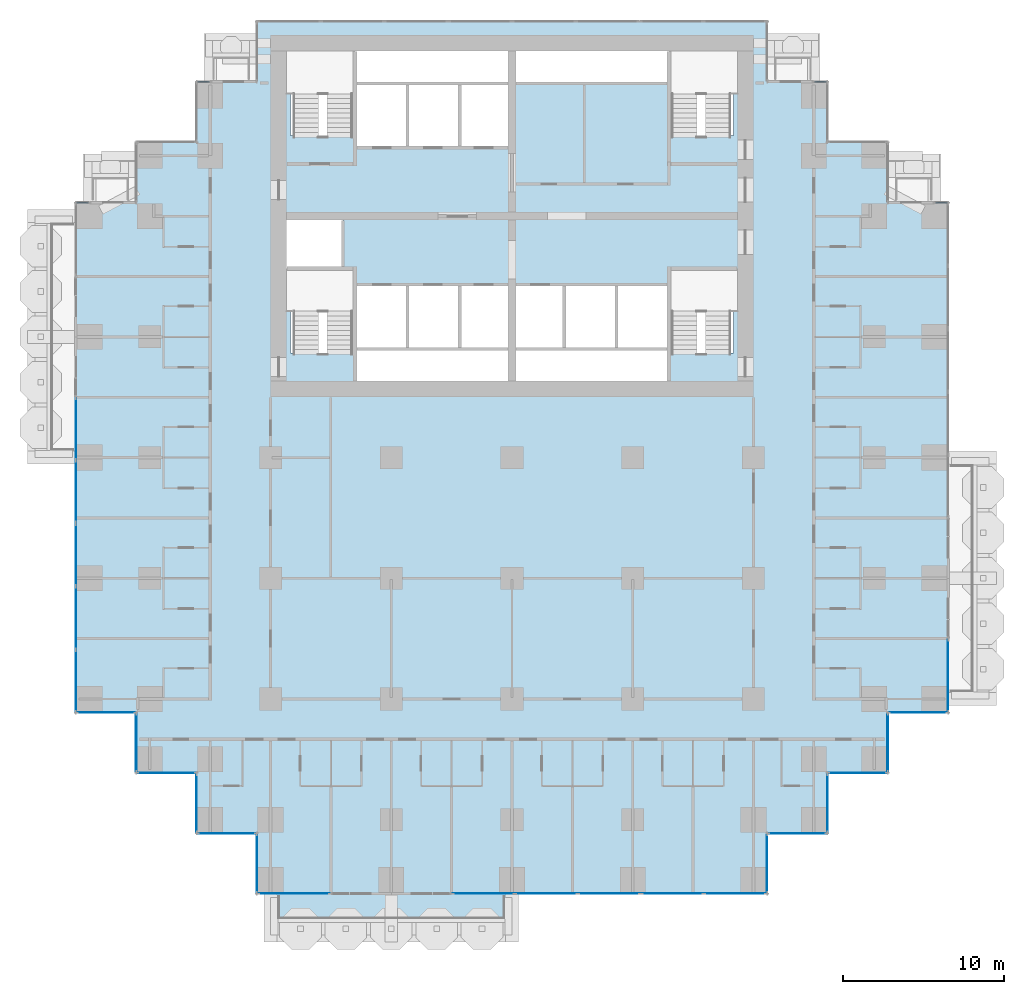
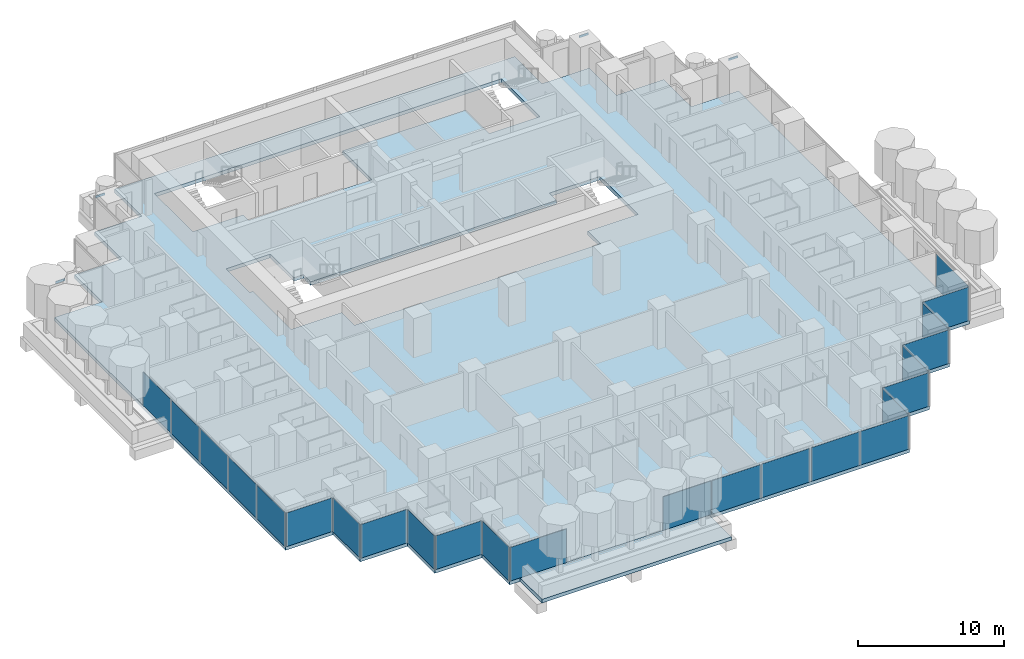
# One storey, part 6 of 18: 24 plates, 4 members, 2 slabs, 22 elements without a shape of their own.
"""IFC4 building model written with IfcOpenShell, lengths in metres."""

from ifc_helpers import new_model, si_unit, direction, frame, origin, origin_2d, place, context, subcontext, project, spatial, polyline, rectangle, outline, extrude, material, layer, layer_set, material_profile, profile_set, type_object, element, aggregate, save


model = new_model("IFC4")

# Units and contexts
model_context = context("Model", 3, precision=1e-05, world=origin(), true_north=direction((0.0, 1.0)))
body_context = subcontext(model_context, "Body", "Model", "MODEL_VIEW")
ifc_project = project(units=[si_unit("LENGTHUNIT", "METRE"), si_unit("AREAUNIT", "SQUARE_METRE"), si_unit("VOLUMEUNIT", "CUBIC_METRE"), si_unit("PLANEANGLEUNIT", "RADIAN"), si_unit("MASSUNIT", "GRAM", prefix="KILO")], contexts=[model_context])

# Site, building, storey
site_placement = place(None, origin())
site = spatial("IfcSite", under=ifc_project, at=site_placement, CompositionType="ELEMENT")
building_placement = place(site_placement, origin())
building = spatial("IfcBuilding", under=site, at=building_placement, Name="Pilkhan Gate Tower", CompositionType="ELEMENT")
storey_placement = place(building_placement, frame((0.0, 0.0, 42.800048828125)))
storey = spatial("IfcBuildingStorey", under=building, at=storey_placement, Name="L07", CompositionType="ELEMENT", Elevation=42.800048828125)

# Curtain wall, member
ifc_material_1 = material(Name="Pale anodised aluminium, clear low-iron double glazing", Category="aluminium")
curtain_wall_type = type_object("IfcCurtainWallType", Name="Hotel unitised curtain wall CW-H", PredefinedType="USERDEFINED", material=ifc_material_1)
curtain_wall_1_placement = place(storey_placement, origin())
curtain_wall_1 = element("IfcCurtainWall", 1, at=curtain_wall_1_placement, inside=storey, type_object=curtain_wall_type, Name="Hotel unitised curtain wall CW-H L07 N", ObjectType="UNITISED CURTAIN WALL", PredefinedType="USERDEFINED")
ifc_material_2 = material(Name="Pale anodised aluminium", Category="aluminium")
ifc_material_profile = material_profile(ifc_material_2, rectangle(XDim=0.06494140625, YDim=0.179931640625, at=origin_2d()), Name="Transom 180x65")
ifc_profile_set = profile_set([ifc_material_profile], Name="Pale anodised aluminium")
member_type = type_object("IfcMemberType", Name="Transom CW-H 180x65", PredefinedType="USERDEFINED", material=ifc_profile_set)
member_1_placement = place(storey_placement, frame((101.31494140625, 83.344970703125, 2.909912109375), z_axis=(1.0, 0.0, 0.0), x_axis=(0.0, 1.0, 0.0)))
member_1 = element("IfcMember", 2, at=member_1_placement, type_object=member_type, Name="CW-H transom 1", ObjectType="TRANSOM", PredefinedType="USERDEFINED", context=body_context, shape_type="SweptSolid", body=[
    extrude(rectangle(XDim=0.06494140625, YDim=0.179931640625, at=origin_2d()), origin(), (0.0, 0.0, 1.0), 0.715087890625),
])
aggregate(curtain_wall_1, [member_1])

curtain_wall_2_placement = place(storey_placement, origin())
curtain_wall_2 = element("IfcCurtainWall", 3, at=curtain_wall_2_placement, inside=storey, type_object=curtain_wall_type, Name="Hotel unitised curtain wall CW-H L07 N", ObjectType="UNITISED CURTAIN WALL", PredefinedType="USERDEFINED")
member_2_placement = place(storey_placement, frame((93.81494140625, 90.844970703125, 2.909912109375), z_axis=(1.0, 0.0, 0.0), x_axis=(0.0, 1.0, 0.0)))
member_2 = element("IfcMember", 4, at=member_2_placement, type_object=member_type, Name="CW-H transom 1", ObjectType="TRANSOM", PredefinedType="USERDEFINED", context=body_context, shape_type="SweptSolid", body=[
    extrude(rectangle(XDim=0.06494140625, YDim=0.179931640625, at=origin_2d()), origin(), (0.0, 0.0, 1.0), 0.715087890625),
])
aggregate(curtain_wall_2, [member_2])

curtain_wall_3_placement = place(storey_placement, origin())
curtain_wall_3 = element("IfcCurtainWall", 5, at=curtain_wall_3_placement, inside=storey, type_object=curtain_wall_type, Name="Hotel unitised curtain wall CW-H L07 N", ObjectType="UNITISED CURTAIN WALL", PredefinedType="USERDEFINED")
member_3_placement = place(storey_placement, frame((55.469970703125, 90.844970703125, 2.909912109375), z_axis=(1.0, 0.0, 0.0), x_axis=(0.0, 1.0, 0.0)))
member_3 = element("IfcMember", 6, at=member_3_placement, type_object=member_type, Name="CW-H transom 1", ObjectType="TRANSOM", PredefinedType="USERDEFINED", context=body_context, shape_type="SweptSolid", body=[
    extrude(rectangle(XDim=0.06494140625, YDim=0.179931640625, at=origin_2d()), origin(), (0.0, 0.0, 1.0), 0.715087890625),
])
aggregate(curtain_wall_3, [member_3])

curtain_wall_4_placement = place(storey_placement, origin())
curtain_wall_4 = element("IfcCurtainWall", 7, at=curtain_wall_4_placement, inside=storey, type_object=curtain_wall_type, Name="Hotel unitised curtain wall CW-H L07 N", ObjectType="UNITISED CURTAIN WALL", PredefinedType="USERDEFINED")
member_4_placement = place(storey_placement, frame((47.969970703125, 83.344970703125, 2.909912109375), z_axis=(1.0, 0.0, 0.0), x_axis=(0.0, 1.0, 0.0)))
member_4 = element("IfcMember", 8, at=member_4_placement, type_object=member_type, Name="CW-H transom 1", ObjectType="TRANSOM", PredefinedType="USERDEFINED", context=body_context, shape_type="SweptSolid", body=[
    extrude(rectangle(XDim=0.06494140625, YDim=0.179931640625, at=origin_2d()), origin(), (0.0, 0.0, 1.0), 0.715087890625),
])
aggregate(curtain_wall_4, [member_4])

# Slabs
ifc_material_3 = material(Name="Concrete C60/75", Category="concrete")
ifc_layer_1 = layer(ifc_material_3, 0.300048828125)
ifc_layer_set_1 = layer_set([ifc_layer_1], Name="Balcony tray slab TR300")
slab_type_1 = type_object("IfcSlabType", Name="Balcony tray slab TR300", PredefinedType="FLOOR", material=ifc_layer_set_1)
slab_1_placement = place(storey_placement, frame((0.0, 0.0, -0.300048828125)))
element("IfcSlab", 9, at=slab_1_placement, inside=storey, type_object=slab_type_1, Name="Balcony tray L07 S", PredefinedType="FLOOR", context=body_context, shape_type="SweptSolid", body=[
    extrude(outline(polyline([(75.0, 37.39990234375), (75.0, 40.39990234375), (60.0, 40.39990234375), (60.0, 37.39990234375), (75.0, 37.39990234375)])), origin(), (0.0, 0.0, 1.0), 0.300048828125),
])
ifc_material_4 = material(Name="Concrete C40/50", Category="concrete")
ifc_layer_2 = layer(ifc_material_4, 0.300048828125)
ifc_layer_set_2 = layer_set([ifc_layer_2], Name="Flat plate slab FP300")
slab_type_2 = type_object("IfcSlabType", Name="Flat plate slab FP300", PredefinedType="FLOOR", material=ifc_layer_set_2)
slab_2_placement = place(storey_placement, frame((0.0, 0.0, -0.300048828125)))
element("IfcSlab", 10, at=slab_2_placement, inside=storey, type_object=slab_type_2, Name="Floor slab L07", PredefinedType="FLOOR", context=body_context, shape_type="SweptSolid", body=[
    extrude(outline(polyline([(98.35009765625, 47.89990234375), (94.60009765625, 47.89990234375), (94.60009765625, 44.14990234375), (90.85009765625, 44.14990234375), (90.85009765625, 40.39990234375), (59.14990234375, 40.39990234375), (59.14990234375, 44.14990234375), (55.39990234375, 44.14990234375), (55.39990234375, 47.89990234375), (51.64990234375, 47.89990234375), (51.64990234375, 51.64990234375), (47.89990234375, 51.64990234375), (47.89990234375, 83.35009765625), (51.64990234375, 83.35009765625), (51.64990234375, 87.10009765625), (55.39990234375, 87.10009765625), (55.39990234375, 90.85009765625), (59.14990234375, 90.85009765625), (59.14990234375, 94.60009765625), (90.85009765625, 94.60009765625), (90.85009765625, 90.85009765625), (94.60009765625, 90.85009765625), (94.60009765625, 87.10009765625), (98.35009765625, 87.10009765625), (98.35009765625, 83.35009765625), (102.10009765625, 83.35009765625), (102.10009765625, 51.64990234375), (98.35009765625, 51.64990234375), (98.35009765625, 47.89990234375)]), holes=[polyline([(65.25, 87.5), (65.25, 86.75), (68.5, 86.75), (71.75, 86.75), (75.0, 86.75), (75.0, 90.75), (84.75, 90.75), (84.75, 87.5), (88.75, 87.5), (88.75, 92.75), (84.75, 92.75), (75.0, 92.75), (65.25, 92.75), (61.25, 92.75), (61.25, 87.5), (65.25, 87.5)]), polyline([(75.0, 72.25), (84.75, 72.25), (84.75, 74.0), (88.75, 74.0), (88.75, 79.25), (84.75, 79.25), (84.75, 78.25), (81.5, 78.25), (78.25, 78.25), (75.0, 78.25), (71.75, 78.25), (68.5, 78.25), (65.25, 78.25), (65.25, 79.25), (64.5, 79.25), (64.5, 82.5), (61.25, 82.5), (61.0, 82.5), (61.0, 79.25), (61.25, 79.25), (61.25, 74.0), (65.25, 74.0), (65.25, 72.25), (75.0, 72.25)])]), origin(), (0.0, 0.0, 1.0), 0.300048828125),
])

# Curtain wall, plate
curtain_wall_5_placement = place(storey_placement, origin())
curtain_wall_5 = element("IfcCurtainWall", 11, at=curtain_wall_5_placement, inside=storey, type_object=curtain_wall_type, Name="Hotel unitised curtain wall CW-H L07 E", ObjectType="UNITISED CURTAIN WALL", PredefinedType="USERDEFINED")
ifc_material_5 = material(Name="Clear low-iron double glazing", Category="glass")
ifc_layer_3 = layer(ifc_material_5, 0.035888671875)
ifc_layer_set_3 = layer_set([ifc_layer_3], Name="Glass panel CW-H 36")
plate_type = type_object("IfcPlateType", Name="Glass panel CW-H 36", PredefinedType="CURTAIN_PANEL", material=ifc_layer_set_3)
plate_1_placement = place(storey_placement, frame((102.094970703125, 53.952392578125, 0.0), z_axis=(0.0, 0.0, 1.0), x_axis=(0.0, 1.0, 0.0)))
plate_1 = element("IfcPlate", 12, at=plate_1_placement, type_object=plate_type, Name="CW-H panel 1", PredefinedType="CURTAIN_PANEL", context=body_context, shape_type="SweptSolid", body=[
    extrude(rectangle(XDim=4.465087890625, YDim=0.035888671875, at=origin_2d()), origin(), (0.0, 0.0, 1.0), 2.820068359375),
])
aggregate(curtain_wall_5, [plate_1])

# Curtain wall, plates
curtain_wall_6_placement = place(storey_placement, origin())
curtain_wall_6 = element("IfcCurtainWall", 13, at=curtain_wall_6_placement, inside=storey, type_object=curtain_wall_type, Name="Hotel unitised curtain wall CW-H L07 W", ObjectType="UNITISED CURTAIN WALL", PredefinedType="USERDEFINED")
plate_2_placement = place(storey_placement, frame((47.905029296875, 53.630859375, 0.0), z_axis=(0.0, 0.0, 1.0), x_axis=(0.0, 1.0, 0.0)))
plate_2 = element("IfcPlate", 14, at=plate_2_placement, type_object=plate_type, Name="CW-H panel 1", PredefinedType="CURTAIN_PANEL", context=body_context, shape_type="SweptSolid", body=[
    extrude(rectangle(XDim=3.821533203125, YDim=0.035888671875, at=origin_2d()), origin(), (0.0, 0.0, 1.0), 2.820068359375),
])
plate_3_placement = place(storey_placement, frame((47.905029296875, 57.533447265625, 0.0), z_axis=(0.0, 0.0, 1.0), x_axis=(0.0, 1.0, 0.0)))
plate_3 = element("IfcPlate", 15, at=plate_3_placement, type_object=plate_type, Name="CW-H panel 2", PredefinedType="CURTAIN_PANEL", context=body_context, shape_type="SweptSolid", body=[
    extrude(rectangle(XDim=3.85400390625, YDim=0.035888671875, at=origin_2d()), origin(), (0.0, 0.0, 1.0), 2.820068359375),
])
plate_4_placement = place(storey_placement, frame((47.905029296875, 61.436279296875, 0.0), z_axis=(0.0, 0.0, 1.0), x_axis=(0.0, 1.0, 0.0)))
plate_4 = element("IfcPlate", 16, at=plate_4_placement, type_object=plate_type, Name="CW-H panel 3", PredefinedType="CURTAIN_PANEL", context=body_context, shape_type="SweptSolid", body=[
    extrude(rectangle(XDim=3.821533203125, YDim=0.035888671875, at=origin_2d()), origin(), (0.0, 0.0, 1.0), 2.820068359375),
])
aggregate(curtain_wall_6, [plate_2, plate_3, plate_4])

curtain_wall_7_placement = place(storey_placement, origin())
curtain_wall_7 = element("IfcCurtainWall", 17, at=curtain_wall_7_placement, inside=storey, type_object=curtain_wall_type, Name="Hotel unitised curtain wall CW-H L07 W", ObjectType="UNITISED CURTAIN WALL", PredefinedType="USERDEFINED")
plate_5_placement = place(storey_placement, frame((47.905029296875, 65.3876953125, 0.0), z_axis=(0.0, 0.0, 1.0), x_axis=(0.0, 1.0, 0.0)))
plate_5 = element("IfcPlate", 18, at=plate_5_placement, type_object=plate_type, Name="CW-H panel 1", PredefinedType="CURTAIN_PANEL", context=body_context, shape_type="SweptSolid", body=[
    extrude(rectangle(XDim=3.821533203125, YDim=0.035888671875, at=origin_2d()), origin(), (0.0, 0.0, 1.0), 2.820068359375),
])
plate_6_placement = place(storey_placement, frame((47.905029296875, 69.274169921875, 0.0), z_axis=(0.0, 0.0, 1.0), x_axis=(0.0, 1.0, 0.0)))
plate_6 = element("IfcPlate", 19, at=plate_6_placement, type_object=plate_type, Name="CW-H panel 2", PredefinedType="CURTAIN_PANEL", context=body_context, shape_type="SweptSolid", body=[
    extrude(rectangle(XDim=3.821533203125, YDim=0.035888671875, at=origin_2d()), origin(), (0.0, 0.0, 1.0), 2.820068359375),
])
aggregate(curtain_wall_7, [plate_5, plate_6])

# Curtain wall, plate
curtain_wall_8_placement = place(storey_placement, origin())
curtain_wall_8 = element("IfcCurtainWall", 20, at=curtain_wall_8_placement, inside=storey, type_object=curtain_wall_type, Name="Hotel unitised curtain wall CW-H L07 S", ObjectType="UNITISED CURTAIN WALL", PredefinedType="USERDEFINED")
plate_7_placement = place(storey_placement, frame((49.780029296875, 51.655029296875, 0.0), z_axis=(0.0, 0.0, 1.0), x_axis=(1.0, 0.0, 0.0)))
plate_7 = element("IfcPlate", 21, at=plate_7_placement, type_object=plate_type, Name="CW-H panel 1", PredefinedType="CURTAIN_PANEL", context=body_context, shape_type="SweptSolid", body=[
    extrude(rectangle(XDim=3.6201171875, YDim=0.035888671875, at=origin_2d()), origin(), (0.0, 0.0, 1.0), 2.820068359375),
])
aggregate(curtain_wall_8, [plate_7])

curtain_wall_9_placement = place(storey_placement, origin())
curtain_wall_9 = element("IfcCurtainWall", 22, at=curtain_wall_9_placement, inside=storey, type_object=curtain_wall_type, Name="Hotel unitised curtain wall CW-H L07 W", ObjectType="UNITISED CURTAIN WALL", PredefinedType="USERDEFINED")
plate_8_placement = place(storey_placement, frame((51.655029296875, 49.780029296875, 0.0), z_axis=(0.0, 0.0, 1.0), x_axis=(0.0, 1.0, 0.0)))
plate_8 = element("IfcPlate", 23, at=plate_8_placement, type_object=plate_type, Name="CW-H panel 1", PredefinedType="CURTAIN_PANEL", context=body_context, shape_type="SweptSolid", body=[
    extrude(rectangle(XDim=3.6201171875, YDim=0.035888671875, at=origin_2d()), origin(), (0.0, 0.0, 1.0), 2.820068359375),
])
aggregate(curtain_wall_9, [plate_8])

curtain_wall_10_placement = place(storey_placement, origin())
curtain_wall_10 = element("IfcCurtainWall", 24, at=curtain_wall_10_placement, inside=storey, type_object=curtain_wall_type, Name="Hotel unitised curtain wall CW-H L07 S", ObjectType="UNITISED CURTAIN WALL", PredefinedType="USERDEFINED")
plate_9_placement = place(storey_placement, frame((53.530029296875, 47.905029296875, 0.0), z_axis=(0.0, 0.0, 1.0), x_axis=(1.0, 0.0, 0.0)))
plate_9 = element("IfcPlate", 25, at=plate_9_placement, type_object=plate_type, Name="CW-H panel 1", PredefinedType="CURTAIN_PANEL", context=body_context, shape_type="SweptSolid", body=[
    extrude(rectangle(XDim=3.6201171875, YDim=0.035888671875, at=origin_2d()), origin(), (0.0, 0.0, 1.0), 2.820068359375),
])
aggregate(curtain_wall_10, [plate_9])

curtain_wall_11_placement = place(storey_placement, origin())
curtain_wall_11 = element("IfcCurtainWall", 26, at=curtain_wall_11_placement, inside=storey, type_object=curtain_wall_type, Name="Hotel unitised curtain wall CW-H L07 W", ObjectType="UNITISED CURTAIN WALL", PredefinedType="USERDEFINED")
plate_10_placement = place(storey_placement, frame((55.405029296875, 46.030029296875, 0.0), z_axis=(0.0, 0.0, 1.0), x_axis=(0.0, 1.0, 0.0)))
plate_10 = element("IfcPlate", 27, at=plate_10_placement, type_object=plate_type, Name="CW-H panel 1", PredefinedType="CURTAIN_PANEL", context=body_context, shape_type="SweptSolid", body=[
    extrude(rectangle(XDim=3.6201171875, YDim=0.035888671875, at=origin_2d()), origin(), (0.0, 0.0, 1.0), 2.820068359375),
])
aggregate(curtain_wall_11, [plate_10])

curtain_wall_12_placement = place(storey_placement, origin())
curtain_wall_12 = element("IfcCurtainWall", 28, at=curtain_wall_12_placement, inside=storey, type_object=curtain_wall_type, Name="Hotel unitised curtain wall CW-H L07 S", ObjectType="UNITISED CURTAIN WALL", PredefinedType="USERDEFINED")
plate_11_placement = place(storey_placement, frame((57.280029296875, 44.155029296875, 0.0), z_axis=(0.0, 0.0, 1.0), x_axis=(1.0, 0.0, 0.0)))
plate_11 = element("IfcPlate", 29, at=plate_11_placement, type_object=plate_type, Name="CW-H panel 1", PredefinedType="CURTAIN_PANEL", context=body_context, shape_type="SweptSolid", body=[
    extrude(rectangle(XDim=3.6201171875, YDim=0.035888671875, at=origin_2d()), origin(), (0.0, 0.0, 1.0), 2.820068359375),
])
aggregate(curtain_wall_12, [plate_11])

curtain_wall_13_placement = place(storey_placement, origin())
curtain_wall_13 = element("IfcCurtainWall", 30, at=curtain_wall_13_placement, inside=storey, type_object=curtain_wall_type, Name="Hotel unitised curtain wall CW-H L07 W", ObjectType="UNITISED CURTAIN WALL", PredefinedType="USERDEFINED")
plate_12_placement = place(storey_placement, frame((59.155029296875, 42.280029296875, 0.0), z_axis=(0.0, 0.0, 1.0), x_axis=(0.0, 1.0, 0.0)))
plate_12 = element("IfcPlate", 31, at=plate_12_placement, type_object=plate_type, Name="CW-H panel 1", PredefinedType="CURTAIN_PANEL", context=body_context, shape_type="SweptSolid", body=[
    extrude(rectangle(XDim=3.6201171875, YDim=0.035888671875, at=origin_2d()), origin(), (0.0, 0.0, 1.0), 2.820068359375),
])
aggregate(curtain_wall_13, [plate_12])

curtain_wall_14_placement = place(storey_placement, origin())
curtain_wall_14 = element("IfcCurtainWall", 32, at=curtain_wall_14_placement, inside=storey, type_object=curtain_wall_type, Name="Hotel unitised curtain wall CW-H L07 S", ObjectType="UNITISED CURTAIN WALL", PredefinedType="USERDEFINED")
plate_13_placement = place(storey_placement, frame((61.452392578125, 40.405029296875, 0.0), z_axis=(0.0, 0.0, 1.0), x_axis=(1.0, 0.0, 0.0)))
plate_13 = element("IfcPlate", 33, at=plate_13_placement, type_object=plate_type, Name="CW-H panel 1", PredefinedType="CURTAIN_PANEL", context=body_context, shape_type="SweptSolid", body=[
    extrude(rectangle(XDim=4.465087890625, YDim=0.035888671875, at=origin_2d()), origin(), (0.0, 0.0, 1.0), 2.820068359375),
])
aggregate(curtain_wall_14, [plate_13])

# Curtain wall, plates
curtain_wall_15_placement = place(storey_placement, origin())
curtain_wall_15 = element("IfcCurtainWall", 34, at=curtain_wall_15_placement, inside=storey, type_object=curtain_wall_type, Name="Hotel unitised curtain wall CW-H L07 S", ObjectType="UNITISED CURTAIN WALL", PredefinedType="USERDEFINED")
plate_14_placement = place(storey_placement, frame((73.225830078125, 40.405029296875, 0.0), z_axis=(0.0, 0.0, 1.0), x_axis=(1.0, 0.0, 0.0)))
plate_14 = element("IfcPlate", 35, at=plate_14_placement, type_object=plate_type, Name="CW-H panel 1", PredefinedType="CURTAIN_PANEL", context=body_context, shape_type="SweptSolid", body=[
    extrude(rectangle(XDim=3.821533203125, YDim=0.035888671875, at=origin_2d()), origin(), (0.0, 0.0, 1.0), 2.820068359375),
])
plate_15_placement = place(storey_placement, frame((77.12841796875, 40.405029296875, 0.0), z_axis=(0.0, 0.0, 1.0), x_axis=(1.0, 0.0, 0.0)))
plate_15 = element("IfcPlate", 36, at=plate_15_placement, type_object=plate_type, Name="CW-H panel 2", PredefinedType="CURTAIN_PANEL", context=body_context, shape_type="SweptSolid", body=[
    extrude(rectangle(XDim=3.85400390625, YDim=0.035888671875, at=origin_2d()), origin(), (0.0, 0.0, 1.0), 2.820068359375),
])
plate_16_placement = place(storey_placement, frame((81.03125, 40.405029296875, 0.0), z_axis=(0.0, 0.0, 1.0), x_axis=(1.0, 0.0, 0.0)))
plate_16 = element("IfcPlate", 37, at=plate_16_placement, type_object=plate_type, Name="CW-H panel 3", PredefinedType="CURTAIN_PANEL", context=body_context, shape_type="SweptSolid", body=[
    extrude(rectangle(XDim=3.821533203125, YDim=0.035888671875, at=origin_2d()), origin(), (0.0, 0.0, 1.0), 2.820068359375),
])
aggregate(curtain_wall_15, [plate_14, plate_15, plate_16])

curtain_wall_16_placement = place(storey_placement, origin())
curtain_wall_16 = element("IfcCurtainWall", 38, at=curtain_wall_16_placement, inside=storey, type_object=curtain_wall_type, Name="Hotel unitised curtain wall CW-H L07 S", ObjectType="UNITISED CURTAIN WALL", PredefinedType="USERDEFINED")
plate_17_placement = place(storey_placement, frame((84.982666015625, 40.405029296875, 0.0), z_axis=(0.0, 0.0, 1.0), x_axis=(1.0, 0.0, 0.0)))
plate_17 = element("IfcPlate", 39, at=plate_17_placement, type_object=plate_type, Name="CW-H panel 1", PredefinedType="CURTAIN_PANEL", context=body_context, shape_type="SweptSolid", body=[
    extrude(rectangle(XDim=3.821533203125, YDim=0.035888671875, at=origin_2d()), origin(), (0.0, 0.0, 1.0), 2.820068359375),
])
plate_18_placement = place(storey_placement, frame((88.869140625, 40.405029296875, 0.0), z_axis=(0.0, 0.0, 1.0), x_axis=(1.0, 0.0, 0.0)))
plate_18 = element("IfcPlate", 40, at=plate_18_placement, type_object=plate_type, Name="CW-H panel 2", PredefinedType="CURTAIN_PANEL", context=body_context, shape_type="SweptSolid", body=[
    extrude(rectangle(XDim=3.821533203125, YDim=0.035888671875, at=origin_2d()), origin(), (0.0, 0.0, 1.0), 2.820068359375),
])
aggregate(curtain_wall_16, [plate_17, plate_18])

# Curtain wall, plate
curtain_wall_17_placement = place(storey_placement, origin())
curtain_wall_17 = element("IfcCurtainWall", 41, at=curtain_wall_17_placement, inside=storey, type_object=curtain_wall_type, Name="Hotel unitised curtain wall CW-H L07 E", ObjectType="UNITISED CURTAIN WALL", PredefinedType="USERDEFINED")
plate_19_placement = place(storey_placement, frame((90.844970703125, 42.280029296875, 0.0), z_axis=(0.0, 0.0, 1.0), x_axis=(0.0, 1.0, 0.0)))
plate_19 = element("IfcPlate", 42, at=plate_19_placement, type_object=plate_type, Name="CW-H panel 1", PredefinedType="CURTAIN_PANEL", context=body_context, shape_type="SweptSolid", body=[
    extrude(rectangle(XDim=3.6201171875, YDim=0.035888671875, at=origin_2d()), origin(), (0.0, 0.0, 1.0), 2.820068359375),
])
aggregate(curtain_wall_17, [plate_19])

curtain_wall_18_placement = place(storey_placement, origin())
curtain_wall_18 = element("IfcCurtainWall", 43, at=curtain_wall_18_placement, inside=storey, type_object=curtain_wall_type, Name="Hotel unitised curtain wall CW-H L07 S", ObjectType="UNITISED CURTAIN WALL", PredefinedType="USERDEFINED")
plate_20_placement = place(storey_placement, frame((92.719970703125, 44.155029296875, 0.0), z_axis=(0.0, 0.0, 1.0), x_axis=(1.0, 0.0, 0.0)))
plate_20 = element("IfcPlate", 44, at=plate_20_placement, type_object=plate_type, Name="CW-H panel 1", PredefinedType="CURTAIN_PANEL", context=body_context, shape_type="SweptSolid", body=[
    extrude(rectangle(XDim=3.6201171875, YDim=0.035888671875, at=origin_2d()), origin(), (0.0, 0.0, 1.0), 2.820068359375),
])
aggregate(curtain_wall_18, [plate_20])

curtain_wall_19_placement = place(storey_placement, origin())
curtain_wall_19 = element("IfcCurtainWall", 45, at=curtain_wall_19_placement, inside=storey, type_object=curtain_wall_type, Name="Hotel unitised curtain wall CW-H L07 E", ObjectType="UNITISED CURTAIN WALL", PredefinedType="USERDEFINED")
plate_21_placement = place(storey_placement, frame((94.594970703125, 46.030029296875, 0.0), z_axis=(0.0, 0.0, 1.0), x_axis=(0.0, 1.0, 0.0)))
plate_21 = element("IfcPlate", 46, at=plate_21_placement, type_object=plate_type, Name="CW-H panel 1", PredefinedType="CURTAIN_PANEL", context=body_context, shape_type="SweptSolid", body=[
    extrude(rectangle(XDim=3.6201171875, YDim=0.035888671875, at=origin_2d()), origin(), (0.0, 0.0, 1.0), 2.820068359375),
])
aggregate(curtain_wall_19, [plate_21])

curtain_wall_20_placement = place(storey_placement, origin())
curtain_wall_20 = element("IfcCurtainWall", 47, at=curtain_wall_20_placement, inside=storey, type_object=curtain_wall_type, Name="Hotel unitised curtain wall CW-H L07 S", ObjectType="UNITISED CURTAIN WALL", PredefinedType="USERDEFINED")
plate_22_placement = place(storey_placement, frame((96.469970703125, 47.905029296875, 0.0), z_axis=(0.0, 0.0, 1.0), x_axis=(1.0, 0.0, 0.0)))
plate_22 = element("IfcPlate", 48, at=plate_22_placement, type_object=plate_type, Name="CW-H panel 1", PredefinedType="CURTAIN_PANEL", context=body_context, shape_type="SweptSolid", body=[
    extrude(rectangle(XDim=3.6201171875, YDim=0.035888671875, at=origin_2d()), origin(), (0.0, 0.0, 1.0), 2.820068359375),
])
aggregate(curtain_wall_20, [plate_22])

curtain_wall_21_placement = place(storey_placement, origin())
curtain_wall_21 = element("IfcCurtainWall", 49, at=curtain_wall_21_placement, inside=storey, type_object=curtain_wall_type, Name="Hotel unitised curtain wall CW-H L07 E", ObjectType="UNITISED CURTAIN WALL", PredefinedType="USERDEFINED")
plate_23_placement = place(storey_placement, frame((98.344970703125, 49.780029296875, 0.0), z_axis=(0.0, 0.0, 1.0), x_axis=(0.0, 1.0, 0.0)))
plate_23 = element("IfcPlate", 50, at=plate_23_placement, type_object=plate_type, Name="CW-H panel 1", PredefinedType="CURTAIN_PANEL", context=body_context, shape_type="SweptSolid", body=[
    extrude(rectangle(XDim=3.6201171875, YDim=0.035888671875, at=origin_2d()), origin(), (0.0, 0.0, 1.0), 2.820068359375),
])
aggregate(curtain_wall_21, [plate_23])

curtain_wall_22_placement = place(storey_placement, origin())
curtain_wall_22 = element("IfcCurtainWall", 51, at=curtain_wall_22_placement, inside=storey, type_object=curtain_wall_type, Name="Hotel unitised curtain wall CW-H L07 S", ObjectType="UNITISED CURTAIN WALL", PredefinedType="USERDEFINED")
plate_24_placement = place(storey_placement, frame((100.219970703125, 51.655029296875, 0.0), z_axis=(0.0, 0.0, 1.0), x_axis=(1.0, 0.0, 0.0)))
plate_24 = element("IfcPlate", 52, at=plate_24_placement, type_object=plate_type, Name="CW-H panel 1", PredefinedType="CURTAIN_PANEL", context=body_context, shape_type="SweptSolid", body=[
    extrude(rectangle(XDim=3.6201171875, YDim=0.035888671875, at=origin_2d()), origin(), (0.0, 0.0, 1.0), 2.820068359375),
])
aggregate(curtain_wall_22, [plate_24])

save(model, "model.ifc")
